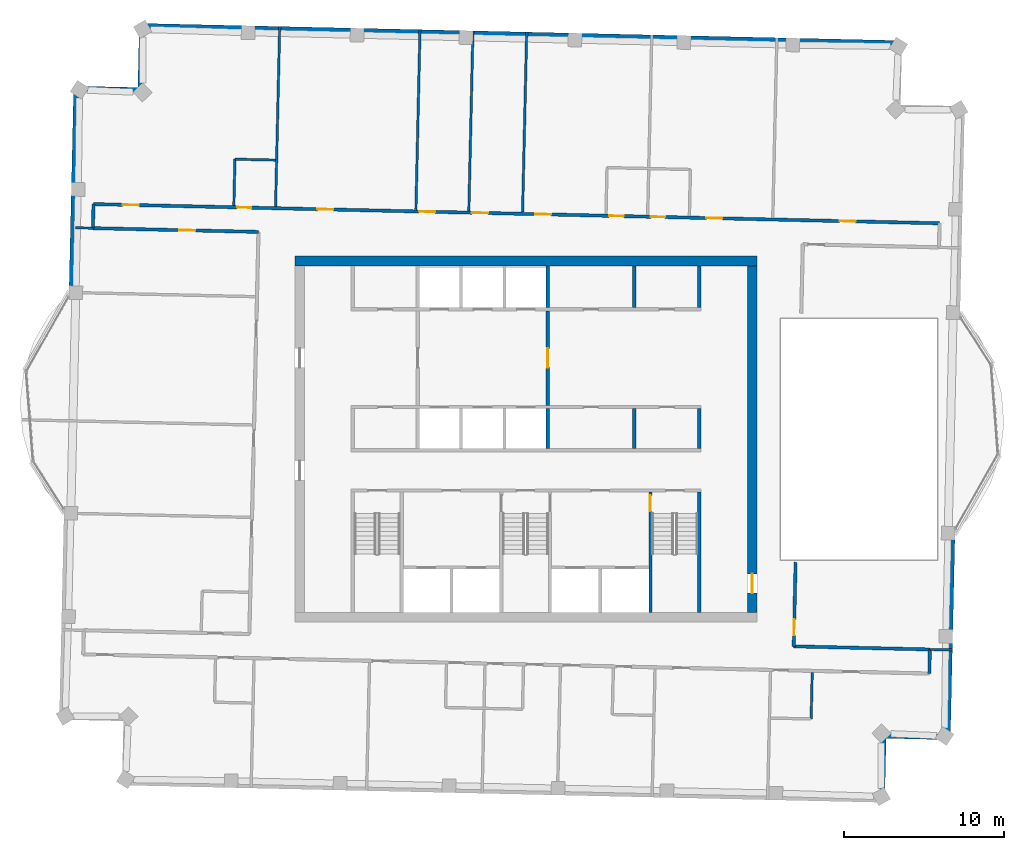
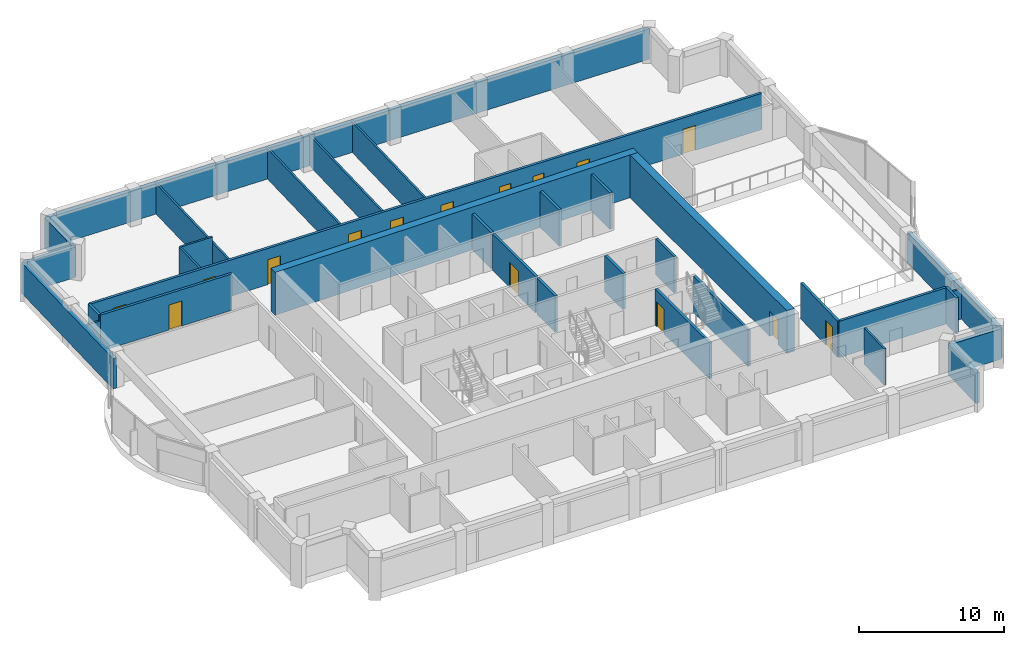
# One storey, part 8 of 11: 33 walls, 15 doors, 15 openings.
"""IFC4 building model written with IfcOpenShell, lengths in metres."""

from ifc_helpers import new_model, si_unit, direction, frame, frame_2d, origin, place, context, subcontext, project, spatial, rectangle, extrude, material, layer, layer_set, type_object, element, fill, save


model = new_model("IFC4")

# Units and contexts
model_context = context("Model", 3, precision=1e-05, world=origin(), true_north=direction((0.0, 1.0)))
body_context = subcontext(model_context, "Body", "Model", "MODEL_VIEW")
ifc_project = project(units=[si_unit("LENGTHUNIT", "METRE"), si_unit("AREAUNIT", "SQUARE_METRE"), si_unit("VOLUMEUNIT", "CUBIC_METRE"), si_unit("PLANEANGLEUNIT", "RADIAN"), si_unit("MASSUNIT", "GRAM", prefix="KILO")], contexts=[model_context])

# Site, building, storey
site_placement = place(None, origin())
site = spatial("IfcSite", under=ifc_project, at=site_placement, CompositionType="ELEMENT")
building_placement = place(site_placement, origin())
building = spatial("IfcBuilding", under=site, at=building_placement, Name="Mangrove Gate Tower", CompositionType="ELEMENT")
storey_placement = place(building_placement, frame((0.0, 0.0, 334.300048828125)))
storey = spatial("IfcBuildingStorey", under=building, at=storey_placement, Name="L85", CompositionType="ELEMENT", Elevation=334.300048828125)

# Wall, opening, door
ifc_material_1 = material(Name="Concrete C32/40", Category="concrete")
ifc_layer_1 = layer(ifc_material_1, 0.199951171875)
ifc_layer_set_1 = layer_set([ifc_layer_1], Name="Core lobby wall 200 C32/40")
wall_type_1 = type_object("IfcWallType", Name="Core lobby wall 200 C32/40", PredefinedType="STANDARD", material=ifc_layer_set_1)
wall_1_placement = place(storey_placement, frame((1.35009765625, 2.10009765625, 0.0), z_axis=(0.0, 0.0, 1.0), x_axis=(0.0, 1.0, 0.0)))
wall_1 = element("IfcWall", 1, at=wall_1_placement, inside=storey, type_object=wall_type_1, Name="WALL-L85-CORE-34", PredefinedType="STANDARD", context=body_context, shape_type="SweptSolid", body=[
    extrude(rectangle(XDim=5.89990234375, YDim=0.199951171875, at=frame_2d((2.949951171875, 0.0))), origin(), (0.0, 0.0, 1.0), 3.050048828125),
])
opening_1_placement = place(wall_1_placement, frame((2.35009765625, 0.0, 0.0)))
opening_1 = element("IfcOpeningElement", 2, at=opening_1_placement, cuts=wall_1, Name="Opening FL12", PredefinedType="OPENING", context=body_context, shape_type="SweptSolid", body=[
    extrude(rectangle(XDim=1.199951171875, YDim=2.10009765625, at=frame_2d((0.60009765625, 1.050048828125))), frame((0.0, 0.10986328125, 0.0), z_axis=(0.0, -1.0, 0.0), x_axis=(1.0, 0.0, 0.0)), (0.0, 0.0, 1.0), 0.219970703125),
])
ifc_material_2 = material(Name="Fire-rated steel door set", Category="steel")
door_type_1 = type_object("IfcDoorType", Name="Lobby door FD60 1200x2100", OperationType="SINGLE_SWING_LEFT", PredefinedType="DOOR", material=ifc_material_2)
door_1_placement = place(opening_1_placement, origin())
door_1 = element("IfcDoor", 3, at=door_1_placement, inside=storey, type_object=door_type_1, Name="Lobby door lift lobby partition", OperationType="SINGLE_SWING_LEFT", OverallHeight=2.10009765625, OverallWidth=1.199951171875, PredefinedType="DOOR", context=body_context, shape_type="SweptSolid", body=[
    extrude(rectangle(XDim=1.199951171875, YDim=2.10009765625, at=frame_2d((0.60009765625, 1.050048828125))), frame((0.0, 0.02490234375, 0.0), z_axis=(0.0, -1.0, 0.0), x_axis=(1.0, 0.0, 0.0)), (0.0, 0.0, 1.0), 0.050048828125),
])
fill(opening_1, door_1)

# Walls
ifc_material_3 = material(Name="Concrete C32/40", Category="concrete")
ifc_layer_2 = layer(ifc_material_3, 0.199951171875)
ifc_layer_set_2 = layer_set([ifc_layer_2], Name="Core room wall 200 C32/40")
wall_type_2 = type_object("IfcWallType", Name="Core room wall 200 C32/40", PredefinedType="STANDARD", material=ifc_layer_set_2)
for number, where, z_axis, x_axis, name in (
    (4, (6.75, -0.60009765625, 0.0), (0.0, 0.0, 1.0), (0.0, 1.0, 0.0), "WALL-L85-CORE-24"),
    (5, (10.800048828125, -0.60009765625, 0.0), (0.0, 0.0, 1.0), (0.0, 1.0, 0.0), "WALL-L85-CORE-25"),
):
    element("IfcWall", number, at=place(storey_placement, frame(where, z_axis=z_axis, x_axis=x_axis)), inside=storey, type_object=wall_type_2, Name=name, PredefinedType="STANDARD", context=body_context, shape_type="SweptSolid", body=[
        extrude(rectangle(XDim=2.5, YDim=0.199951171875, at=frame_2d((1.25, 0.0))), origin(), (0.0, 0.0, 1.0), 3.050048828125),
    ])
for number, where, z_axis, x_axis, name in (
    (6, (6.75, 8.199951171875, 0.0), (0.0, 0.0, 1.0), (0.0, 1.0, 0.0), "WALL-L85-CORE-31"),
    (7, (10.800048828125, 8.199951171875, 0.0), (0.0, 0.0, 1.0), (0.0, 1.0, 0.0), "WALL-L85-CORE-32"),
):
    element("IfcWall", number, at=place(storey_placement, frame(where, z_axis=z_axis, x_axis=x_axis)), inside=storey, type_object=wall_type_2, Name=name, PredefinedType="STANDARD", context=body_context, shape_type="SweptSolid", body=[
        extrude(rectangle(XDim=2.60009765625, YDim=0.199951171875, at=frame_2d((1.300048828125, 0.0))), origin(), (0.0, 0.0, 1.0), 3.050048828125),
    ])
ifc_material_4 = material(Name="Concrete C50/60", Category="concrete")
ifc_layer_3 = layer(ifc_material_4, 0.199951171875)
ifc_layer_set_3 = layer_set([ifc_layer_3], Name="Core shaft wall 200 C50/60")
wall_type_3 = type_object("IfcWallType", Name="Core shaft wall 200 C50/60", PredefinedType="SHEAR", material=ifc_layer_set_3)
wall_2_placement = place(storey_placement, frame((1.35009765625, -0.60009765625, 0.0), z_axis=(0.0, 0.0, 1.0), x_axis=(0.0, 1.0, 0.0)))
element("IfcWall", 8, at=wall_2_placement, inside=storey, type_object=wall_type_3, Name="WALL-L85-CORE-23", PredefinedType="SHEAR", context=body_context, shape_type="SweptSolid", body=[
    extrude(rectangle(XDim=2.5, YDim=0.199951171875, at=frame_2d((1.25, 0.0))), origin(), (0.0, 0.0, 1.0), 3.050048828125),
])
wall_3_placement = place(storey_placement, frame((1.35009765625, 8.199951171875, 0.0), z_axis=(0.0, 0.0, 1.0), x_axis=(0.0, 1.0, 0.0)))
element("IfcWall", 9, at=wall_3_placement, inside=storey, type_object=wall_type_3, Name="WALL-L85-CORE-30", PredefinedType="SHEAR", context=body_context, shape_type="SweptSolid", body=[
    extrude(rectangle(XDim=2.60009765625, YDim=0.199951171875, at=frame_2d((1.300048828125, 0.0))), origin(), (0.0, 0.0, 1.0), 3.050048828125),
])

# Wall, opening, door
ifc_material_5 = material(Name="Concrete C50/60", Category="concrete")
ifc_layer_4 = layer(ifc_material_5, 0.199951171875)
ifc_layer_set_4 = layer_set([ifc_layer_4], Name="Core stair wall 200 C50/60")
wall_type_4 = type_object("IfcWallType", Name="Core stair wall 200 C50/60", PredefinedType="SHEAR", material=ifc_layer_set_4)
wall_4_placement = place(storey_placement, frame((7.75, -10.800048828125, 0.0), z_axis=(0.0, 0.0, 1.0), x_axis=(0.0, 1.0, 0.0)))
wall_4 = element("IfcWall", 10, at=wall_4_placement, inside=storey, type_object=wall_type_4, Name="WALL-L85-CORE-13", PredefinedType="SHEAR", context=body_context, shape_type="SweptSolid", body=[
    extrude(rectangle(XDim=7.5, YDim=0.199951171875, at=frame_2d((3.75, 0.0))), origin(), (0.0, 0.0, 1.0), 3.050048828125),
])
opening_2_placement = place(wall_4_placement, frame((6.300048828125, 0.0, 0.0)))
opening_2 = element("IfcOpeningElement", 11, at=opening_2_placement, cuts=wall_4, Name="Opening STD10", PredefinedType="OPENING", context=body_context, shape_type="SweptSolid", body=[
    extrude(rectangle(XDim=1.0, YDim=2.10009765625, at=frame_2d((0.5, 1.050048828125))), frame((0.0, 0.10986328125, 0.0), z_axis=(0.0, -1.0, 0.0), x_axis=(1.0, 0.0, 0.0)), (0.0, 0.0, 1.0), 0.219970703125),
])
ifc_material_6 = material(Name="Fire-rated steel door set", Category="steel")
door_type_2 = type_object("IfcDoorType", Name="Stair door FD60 1000x2100", OperationType="SINGLE_SWING_RIGHT", PredefinedType="DOOR", material=ifc_material_6)
door_2_placement = place(opening_2_placement, origin())
door_2 = element("IfcDoor", 12, at=door_2_placement, inside=storey, type_object=door_type_2, Name="Stair door Stair 3 from fire-fighting lobby", OperationType="SINGLE_SWING_RIGHT", OverallHeight=2.10009765625, OverallWidth=1.0, PredefinedType="DOOR", context=body_context, shape_type="SweptSolid", body=[
    extrude(rectangle(XDim=1.0, YDim=2.10009765625, at=frame_2d((0.5, 1.050048828125))), frame((0.0, 0.02490234375, 0.0), z_axis=(0.0, -1.0, 0.0), x_axis=(1.0, 0.0, 0.0)), (0.0, 0.0, 1.0), 0.050048828125),
])
fill(opening_2, door_2)

# Walls
wall_5_placement = place(storey_placement, frame((10.800048828125, -10.800048828125, 0.0), z_axis=(0.0, 0.0, 1.0), x_axis=(0.0, 1.0, 0.0)))
element("IfcWall", 13, at=wall_5_placement, inside=storey, type_object=wall_type_4, Name="WALL-L85-CORE-14", PredefinedType="SHEAR", context=body_context, shape_type="SweptSolid", body=[
    extrude(rectangle(XDim=7.5, YDim=0.199951171875, at=frame_2d((3.75, 0.0))), origin(), (0.0, 0.0, 1.0), 3.050048828125),
])
ifc_material_7 = material(Name="Concrete C50/60", Category="concrete")
ifc_layer_5 = layer(ifc_material_7, 0.60009765625)
ifc_layer_set_5 = layer_set([ifc_layer_5], Name="Core wall 600 C50/60")
wall_type_5 = type_object("IfcWallType", Name="Core wall 600 C50/60", PredefinedType="SHEAR", material=ifc_layer_set_5)
wall_6_placement = place(storey_placement, frame((-14.39990234375, 11.10009765625, 0.0), z_axis=(0.0, 0.0, 1.0), x_axis=(1.0, 0.0, 0.0)))
element("IfcWall", 14, at=wall_6_placement, inside=storey, type_object=wall_type_5, Name="WALL-L85-CORE-2", PredefinedType="SHEAR", context=body_context, shape_type="SweptSolid", body=[
    extrude(rectangle(XDim=28.7998046875, YDim=0.60009765625, at=frame_2d((14.39990234375, 0.0))), origin(), (0.0, 0.0, 1.0), 3.599853515625),
])

# Wall, opening, door
wall_7_placement = place(storey_placement, frame((14.10009765625, -10.800048828125, 0.0), z_axis=(0.0, 0.0, 1.0), x_axis=(0.0, 1.0, 0.0)))
wall_7 = element("IfcWall", 15, at=wall_7_placement, inside=storey, type_object=wall_type_5, Name="WALL-L85-CORE-4", PredefinedType="SHEAR", context=body_context, shape_type="SweptSolid", body=[
    extrude(rectangle(XDim=21.60009765625, YDim=0.60009765625, at=frame_2d((10.800048828125, 0.0))), origin(), (0.0, 0.0, 1.0), 3.599853515625),
])
opening_3_placement = place(wall_7_placement, frame((1.199951171875, 0.0, 0.0)))
opening_3 = element("IfcOpeningElement", 16, at=opening_3_placement, cuts=wall_7, Name="Opening CD", PredefinedType="OPENING", context=body_context, shape_type="SweptSolid", body=[
    extrude(rectangle(XDim=1.199951171875, YDim=2.10009765625, at=frame_2d((0.60009765625, 1.050048828125))), frame((0.0, 0.31005859375, 0.0), z_axis=(0.0, -1.0, 0.0), x_axis=(1.0, 0.0, 0.0)), (0.0, 0.0, 1.0), 0.6201171875),
])
ifc_material_8 = material(Name="Fire-rated steel door set", Category="steel")
door_type_3 = type_object("IfcDoorType", Name="Core ring door FD60 1200x2100", OperationType="DOUBLE_DOOR_SINGLE_SWING", PredefinedType="DOOR", material=ifc_material_8)
door_3_placement = place(opening_3_placement, origin())
door_3 = element("IfcDoor", 17, at=door_3_placement, inside=storey, type_object=door_type_3, Name="Core ring door E1", OperationType="DOUBLE_DOOR_SINGLE_SWING", OverallHeight=2.10009765625, OverallWidth=1.199951171875, PredefinedType="DOOR", context=body_context, shape_type="SweptSolid", body=[
    extrude(rectangle(XDim=1.199951171875, YDim=2.10009765625, at=frame_2d((0.60009765625, 1.050048828125))), frame((0.0, 0.02490234375, 0.0), z_axis=(0.0, -1.0, 0.0), x_axis=(1.0, 0.0, 0.0)), (0.0, 0.0, 1.0), 0.050048828125),
])
fill(opening_3, door_3)

# Walls
ifc_material_9 = material(Name="Gypsum board on steel stud, EI 60", Category="steel")
ifc_layer_6 = layer(ifc_material_9, 0.199951171875)
ifc_layer_set_6 = layer_set([ifc_layer_6], Name="Corridor wall EI 60")
wall_type_6 = type_object("IfcWallType", Name="Corridor wall EI 60", PredefinedType="PARTITIONING", material=ifc_layer_set_6)
wall_8_placement = place(storey_placement, frame((25.137939453125, -14.611083984375, 0.0), z_axis=(0.0, 0.0, 1.0), x_axis=(0.022780545013, 0.999740489712, 0.0)))
element("IfcWall", 18, at=wall_8_placement, inside=storey, type_object=wall_type_6, Name="WALL-L85-018", PredefinedType="PARTITIONING", context=body_context, shape_type="SweptSolid", body=[
    extrude(rectangle(XDim=1.50048828125, YDim=0.199951171875, at=frame_2d((0.750244140625, 0.0))), origin(), (0.0, 0.0, 1.0), 3.050048828125),
])
wall_9_placement = place(storey_placement, frame((16.678955078125, -12.91796875, 0.0), z_axis=(0.0, 0.0, 1.0), x_axis=(0.999741598108, -0.022731850181, 0.0)))
element("IfcWall", 19, at=wall_9_placement, inside=storey, type_object=wall_type_6, Name="WALL-L85-023", PredefinedType="PARTITIONING", context=body_context, shape_type="SweptSolid", body=[
    extrude(rectangle(XDim=8.495361328125, YDim=0.199951171875, at=frame_2d((4.24755859375, 0.0))), origin(), (0.0, 0.0, 1.0), 3.050048828125),
])

# Wall, opening, door
wall_10_placement = place(storey_placement, frame((16.68408203125, -12.9189453125, 0.0), z_axis=(0.0, 0.0, 1.0), x_axis=(0.022667483124, 0.999743059595, 0.0)))
wall_10 = element("IfcWall", 20, at=wall_10_placement, inside=storey, type_object=wall_type_6, Name="WALL-L85-024", PredefinedType="PARTITIONING", context=body_context, shape_type="SweptSolid", body=[
    extrude(rectangle(XDim=5.245361328125, YDim=0.199951171875, at=frame_2d((2.62255859375, 0.0))), origin(), (0.0, 0.0, 1.0), 3.050048828125),
])
opening_4_placement = place(wall_10_placement, frame((0.69091796875, 0.0, 0.0)))
opening_4 = element("IfcOpeningElement", 21, at=opening_4_placement, cuts=wall_10, Name="Opening AD", PredefinedType="OPENING", context=body_context, shape_type="SweptSolid", body=[
    extrude(rectangle(XDim=1.0, YDim=2.10009765625, at=frame_2d((0.5, 1.050048828125))), frame((0.0, 0.10986328125, 0.0), z_axis=(0.0, -1.0, 0.0), x_axis=(1.0, 0.0, 0.0)), (0.0, 0.0, 1.0), 0.219970703125),
])
ifc_material_10 = material(Name="Timber door leaf", Category="wood")
door_type_4 = type_object("IfcDoorType", Name="Amenity door 1000", OperationType="SINGLE_SWING_LEFT", PredefinedType="DOOR", material=ifc_material_10)
door_4_placement = place(opening_4_placement, origin())
door_4 = element("IfcDoor", 22, at=door_4_placement, inside=storey, type_object=door_type_4, Name="DOOR-L85-GAM-c2c", OperationType="SINGLE_SWING_RIGHT", OverallHeight=2.10009765625, OverallWidth=1.0, PredefinedType="DOOR", context=body_context, shape_type="SweptSolid", body=[
    extrude(rectangle(XDim=1.0, YDim=2.10009765625, at=frame_2d((0.5, 1.050048828125))), frame((0.0, 0.02490234375, 0.0), z_axis=(0.0, -1.0, 0.0), x_axis=(1.0, 0.0, 0.0)), (0.0, 0.0, 1.0), 0.050048828125),
])
fill(opening_4, door_4)

wall_11_placement = place(storey_placement, frame((-26.99609375, 13.14892578125, 0.0), z_axis=(0.0, 0.0, 1.0), x_axis=(0.999743140734, -0.022663904229, 0.0)))
wall_11 = element("IfcWall", 23, at=wall_11_placement, inside=storey, type_object=wall_type_6, Name="WALL-L85-032", PredefinedType="PARTITIONING", context=body_context, shape_type="SweptSolid", body=[
    extrude(rectangle(XDim=10.31982421875, YDim=0.199951171875, at=frame_2d((5.159912109375, 0.0))), origin(), (0.0, 0.0, 1.0), 3.050048828125),
])
opening_5_placement = place(wall_11_placement, frame((5.39208984375, 0.0, 0.0)))
opening_5 = element("IfcOpeningElement", 24, at=opening_5_placement, cuts=wall_11, Name="Opening AD", PredefinedType="OPENING", context=body_context, shape_type="SweptSolid", body=[
    extrude(rectangle(XDim=1.0, YDim=2.10009765625, at=frame_2d((0.5, 1.050048828125))), frame((0.0, 0.10986328125, 0.0), z_axis=(0.0, -1.0, 0.0), x_axis=(1.0, 0.0, 0.0)), (0.0, 0.0, 1.0), 0.219970703125),
])
door_5_placement = place(opening_5_placement, origin())
door_5 = element("IfcDoor", 25, at=door_5_placement, inside=storey, type_object=door_type_4, Name="DOOR-L85-KIT-c5a", OperationType="SINGLE_SWING_LEFT", OverallHeight=2.10009765625, OverallWidth=1.0, PredefinedType="DOOR", context=body_context, shape_type="SweptSolid", body=[
    extrude(rectangle(XDim=1.0, YDim=2.10009765625, at=frame_2d((0.5, 1.050048828125))), frame((0.0, 0.02490234375, 0.0), z_axis=(0.0, -1.0, 0.0), x_axis=(1.0, 0.0, 0.0)), (0.0, 0.0, 1.0), 0.050048828125),
])
fill(opening_5, door_5)

# Wall
wall_12_placement = place(storey_placement, frame((-26.99609375, 13.153076171875, 0.0), z_axis=(0.0, 0.0, 1.0), x_axis=(0.022780545013, 0.999740489712, 0.0)))
element("IfcWall", 26, at=wall_12_placement, inside=storey, type_object=wall_type_6, Name="WALL-L85-035", PredefinedType="PARTITIONING", context=body_context, shape_type="SweptSolid", body=[
    extrude(rectangle(XDim=1.50048828125, YDim=0.199951171875, at=frame_2d((0.750244140625, 0.0))), origin(), (0.0, 0.0, 1.0), 3.050048828125),
])

# Wall, openings, doors
wall_13_placement = place(storey_placement, frame((-26.9619140625, 14.64892578125, 0.0), z_axis=(0.0, 0.0, 1.0), x_axis=(0.999742499365, -0.022692178484, 0.0)))
wall_13 = element("IfcWall", 27, at=wall_13_placement, inside=storey, type_object=wall_type_6, Name="WALL-L85-037", PredefinedType="PARTITIONING", context=body_context, shape_type="SweptSolid", body=[
    extrude(rectangle(XDim=52.75048828125, YDim=0.199951171875, at=frame_2d((26.375244140625, 0.0))), origin(), (0.0, 0.0, 1.0), 3.050048828125),
])
opening_6_placement = place(wall_13_placement, frame((46.52587890625, 0.0, 0.0)))
opening_6 = element("IfcOpeningElement", 28, at=opening_6_placement, cuts=wall_13, Name="Opening AD", PredefinedType="OPENING", context=body_context, shape_type="SweptSolid", body=[
    extrude(rectangle(XDim=1.0, YDim=2.10009765625, at=frame_2d((0.5, 1.050048828125))), frame((0.0, 0.10986328125, 0.0), z_axis=(0.0, -1.0, 0.0), x_axis=(1.0, 0.0, 0.0)), (0.0, 0.0, 1.0), 0.219970703125),
])
opening_7_placement = place(wall_13_placement, frame((38.2080078125, 0.0, 0.0)))
opening_7 = element("IfcOpeningElement", 29, at=opening_7_placement, cuts=wall_13, Name="Opening AD", PredefinedType="OPENING", context=body_context, shape_type="SweptSolid", body=[
    extrude(rectangle(XDim=1.0, YDim=2.10009765625, at=frame_2d((0.5, 1.050048828125))), frame((0.0, 0.10986328125, 0.0), z_axis=(0.0, -1.0, 0.0), x_axis=(1.0, 0.0, 0.0)), (0.0, 0.0, 1.0), 0.219970703125),
])
opening_8_placement = place(wall_13_placement, frame((34.75, 0.0, 0.0)))
opening_8 = element("IfcOpeningElement", 30, at=opening_8_placement, cuts=wall_13, Name="Opening SD", PredefinedType="OPENING", context=body_context, shape_type="SweptSolid", body=[
    extrude(rectangle(XDim=0.89990234375, YDim=2.10009765625, at=frame_2d((0.449951171875, 1.050048828125))), frame((0.0, 0.10986328125, 0.0), z_axis=(0.0, -1.0, 0.0), x_axis=(1.0, 0.0, 0.0)), (0.0, 0.0, 1.0), 0.219970703125),
])
opening_9_placement = place(wall_13_placement, frame((27.535888671875, 0.0, 0.0)))
opening_9 = element("IfcOpeningElement", 31, at=opening_9_placement, cuts=wall_13, Name="Opening AD", PredefinedType="OPENING", context=body_context, shape_type="SweptSolid", body=[
    extrude(rectangle(XDim=1.0, YDim=2.10009765625, at=frame_2d((0.5, 1.050048828125))), frame((0.0, 0.10986328125, 0.0), z_axis=(0.0, -1.0, 0.0), x_axis=(1.0, 0.0, 0.0)), (0.0, 0.0, 1.0), 0.219970703125),
])
opening_10_placement = place(wall_13_placement, frame((32.14990234375, 0.0, 0.0)))
opening_10 = element("IfcOpeningElement", 32, at=opening_10_placement, cuts=wall_13, Name="Opening SD", PredefinedType="OPENING", context=body_context, shape_type="SweptSolid", body=[
    extrude(rectangle(XDim=0.89990234375, YDim=2.10009765625, at=frame_2d((0.449951171875, 1.050048828125))), frame((0.0, 0.10986328125, 0.0), z_axis=(0.0, -1.0, 0.0), x_axis=(1.0, 0.0, 0.0)), (0.0, 0.0, 1.0), 0.219970703125),
])
opening_11_placement = place(wall_13_placement, frame((23.60009765625, 0.0, 0.0)))
opening_11 = element("IfcOpeningElement", 33, at=opening_11_placement, cuts=wall_13, Name="Opening AD", PredefinedType="OPENING", context=body_context, shape_type="SweptSolid", body=[
    extrude(rectangle(XDim=1.0, YDim=2.10009765625, at=frame_2d((0.5, 1.050048828125))), frame((0.0, 0.10986328125, 0.0), z_axis=(0.0, -1.0, 0.0), x_axis=(1.0, 0.0, 0.0)), (0.0, 0.0, 1.0), 0.219970703125),
])
opening_12_placement = place(wall_13_placement, frame((20.300048828125, 0.0, 0.0)))
opening_12 = element("IfcOpeningElement", 34, at=opening_12_placement, cuts=wall_13, Name="Opening AD", PredefinedType="OPENING", context=body_context, shape_type="SweptSolid", body=[
    extrude(rectangle(XDim=1.0, YDim=2.10009765625, at=frame_2d((0.5, 1.050048828125))), frame((0.0, 0.10986328125, 0.0), z_axis=(0.0, -1.0, 0.0), x_axis=(1.0, 0.0, 0.0)), (0.0, 0.0, 1.0), 0.219970703125),
])
opening_13_placement = place(wall_13_placement, frame((13.955078125, 0.0, 0.0)))
opening_13 = element("IfcOpeningElement", 35, at=opening_13_placement, cuts=wall_13, Name="Opening AD", PredefinedType="OPENING", context=body_context, shape_type="SweptSolid", body=[
    extrude(rectangle(XDim=1.0, YDim=2.10009765625, at=frame_2d((0.5, 1.050048828125))), frame((0.0, 0.10986328125, 0.0), z_axis=(0.0, -1.0, 0.0), x_axis=(1.0, 0.0, 0.0)), (0.0, 0.0, 1.0), 0.219970703125),
])
opening_14_placement = place(wall_13_placement, frame((1.81298828125, 0.0, 0.0)))
opening_14 = element("IfcOpeningElement", 36, at=opening_14_placement, cuts=wall_13, Name="Opening AD", PredefinedType="OPENING", context=body_context, shape_type="SweptSolid", body=[
    extrude(rectangle(XDim=1.0, YDim=2.10009765625, at=frame_2d((0.5, 1.050048828125))), frame((0.0, 0.10986328125, 0.0), z_axis=(0.0, -1.0, 0.0), x_axis=(1.0, 0.0, 0.0)), (0.0, 0.0, 1.0), 0.219970703125),
])
opening_15_placement = place(wall_13_placement, frame((8.949951171875, 0.0, 0.0)))
opening_15 = element("IfcOpeningElement", 37, at=opening_15_placement, cuts=wall_13, Name="Opening SD", PredefinedType="OPENING", context=body_context, shape_type="SweptSolid", body=[
    extrude(rectangle(XDim=0.89990234375, YDim=2.10009765625, at=frame_2d((0.449951171875, 1.050048828125))), frame((0.0, 0.10986328125, 0.0), z_axis=(0.0, -1.0, 0.0), x_axis=(1.0, 0.0, 0.0)), (0.0, 0.0, 1.0), 0.219970703125),
])
door_6_placement = place(opening_6_placement, origin())
door_6 = element("IfcDoor", 38, at=door_6_placement, inside=storey, type_object=door_type_4, Name="DOOR-L85-GAM-c3a", OperationType="SINGLE_SWING_RIGHT", OverallHeight=2.10009765625, OverallWidth=1.0, PredefinedType="DOOR", context=body_context, shape_type="SweptSolid", body=[
    extrude(rectangle(XDim=1.0, YDim=2.10009765625, at=frame_2d((0.5, 1.050048828125))), frame((0.0, 0.02490234375, 0.0), z_axis=(0.0, -1.0, 0.0), x_axis=(1.0, 0.0, 0.0)), (0.0, 0.0, 1.0), 0.050048828125),
])
fill(opening_6, door_6)
door_7_placement = place(opening_7_placement, origin())
door_7 = element("IfcDoor", 39, at=door_7_placement, inside=storey, type_object=door_type_4, Name="DOOR-L85-GAM-c3b", OperationType="SINGLE_SWING_LEFT", OverallHeight=2.10009765625, OverallWidth=1.0, PredefinedType="DOOR", context=body_context, shape_type="SweptSolid", body=[
    extrude(rectangle(XDim=1.0, YDim=2.10009765625, at=frame_2d((0.5, 1.050048828125))), frame((0.0, 0.02490234375, 0.0), z_axis=(0.0, -1.0, 0.0), x_axis=(1.0, 0.0, 0.0)), (0.0, 0.0, 1.0), 0.050048828125),
])
fill(opening_7, door_7)
door_8_placement = place(opening_9_placement, origin())
door_8 = element("IfcDoor", 40, at=door_8_placement, inside=storey, type_object=door_type_4, Name="DOOR-L85-GAM-c3c", OperationType="SINGLE_SWING_RIGHT", OverallHeight=2.10009765625, OverallWidth=1.0, PredefinedType="DOOR", context=body_context, shape_type="SweptSolid", body=[
    extrude(rectangle(XDim=1.0, YDim=2.10009765625, at=frame_2d((0.5, 1.050048828125))), frame((0.0, 0.02490234375, 0.0), z_axis=(0.0, -1.0, 0.0), x_axis=(1.0, 0.0, 0.0)), (0.0, 0.0, 1.0), 0.050048828125),
])
fill(opening_9, door_8)
door_9_placement = place(opening_11_placement, origin())
door_9 = element("IfcDoor", 41, at=door_9_placement, inside=storey, type_object=door_type_4, Name="DOOR-L85-STU-c4a", OperationType="SINGLE_SWING_LEFT", OverallHeight=2.10009765625, OverallWidth=1.0, PredefinedType="DOOR", context=body_context, shape_type="SweptSolid", body=[
    extrude(rectangle(XDim=1.0, YDim=2.10009765625, at=frame_2d((0.5, 1.050048828125))), frame((0.0, 0.02490234375, 0.0), z_axis=(0.0, -1.0, 0.0), x_axis=(1.0, 0.0, 0.0)), (0.0, 0.0, 1.0), 0.050048828125),
])
fill(opening_11, door_9)
door_10_placement = place(opening_12_placement, origin())
door_10 = element("IfcDoor", 42, at=door_10_placement, inside=storey, type_object=door_type_4, Name="DOOR-L85-STU-c4b", OperationType="SINGLE_SWING_RIGHT", OverallHeight=2.10009765625, OverallWidth=1.0, PredefinedType="DOOR", context=body_context, shape_type="SweptSolid", body=[
    extrude(rectangle(XDim=1.0, YDim=2.10009765625, at=frame_2d((0.5, 1.050048828125))), frame((0.0, 0.02490234375, 0.0), z_axis=(0.0, -1.0, 0.0), x_axis=(1.0, 0.0, 0.0)), (0.0, 0.0, 1.0), 0.050048828125),
])
fill(opening_12, door_10)
door_11_placement = place(opening_13_placement, origin())
door_11 = element("IfcDoor", 43, at=door_11_placement, inside=storey, type_object=door_type_4, Name="DOOR-L85-LNG-c4a", OperationType="SINGLE_SWING_LEFT", OverallHeight=2.10009765625, OverallWidth=1.0, PredefinedType="DOOR", context=body_context, shape_type="SweptSolid", body=[
    extrude(rectangle(XDim=1.0, YDim=2.10009765625, at=frame_2d((0.5, 1.050048828125))), frame((0.0, 0.02490234375, 0.0), z_axis=(0.0, -1.0, 0.0), x_axis=(1.0, 0.0, 0.0)), (0.0, 0.0, 1.0), 0.050048828125),
])
fill(opening_13, door_11)
door_12_placement = place(opening_14_placement, origin())
door_12 = element("IfcDoor", 44, at=door_12_placement, inside=storey, type_object=door_type_4, Name="DOOR-L85-LNG-c4b", OperationType="SINGLE_SWING_RIGHT", OverallHeight=2.10009765625, OverallWidth=1.0, PredefinedType="DOOR", context=body_context, shape_type="SweptSolid", body=[
    extrude(rectangle(XDim=1.0, YDim=2.10009765625, at=frame_2d((0.5, 1.050048828125))), frame((0.0, 0.02490234375, 0.0), z_axis=(0.0, -1.0, 0.0), x_axis=(1.0, 0.0, 0.0)), (0.0, 0.0, 1.0), 0.050048828125),
])
fill(opening_14, door_12)
ifc_material_11 = material(Name="Timber door leaf", Category="wood")
door_type_5 = type_object("IfcDoorType", Name="Service room door 900", OperationType="SINGLE_SWING_LEFT", PredefinedType="DOOR", material=ifc_material_11)
door_13_placement = place(opening_8_placement, origin())
door_13 = element("IfcDoor", 45, at=door_13_placement, inside=storey, type_object=door_type_5, Name="DOOR-L85-AWC-c3a", OperationType="SINGLE_SWING_RIGHT", OverallHeight=2.10009765625, OverallWidth=0.89990234375, PredefinedType="DOOR", context=body_context, shape_type="SweptSolid", body=[
    extrude(rectangle(XDim=0.89990234375, YDim=2.10009765625, at=frame_2d((0.449951171875, 1.050048828125))), frame((0.0, 0.02490234375, 0.0), z_axis=(0.0, -1.0, 0.0), x_axis=(1.0, 0.0, 0.0)), (0.0, 0.0, 1.0), 0.050048828125),
])
fill(opening_8, door_13)
door_14_placement = place(opening_10_placement, origin())
door_14 = element("IfcDoor", 46, at=door_14_placement, inside=storey, type_object=door_type_5, Name="DOOR-L85-AWC-c3b", OperationType="SINGLE_SWING_LEFT", OverallHeight=2.10009765625, OverallWidth=0.89990234375, PredefinedType="DOOR", context=body_context, shape_type="SweptSolid", body=[
    extrude(rectangle(XDim=0.89990234375, YDim=2.10009765625, at=frame_2d((0.449951171875, 1.050048828125))), frame((0.0, 0.02490234375, 0.0), z_axis=(0.0, -1.0, 0.0), x_axis=(1.0, 0.0, 0.0)), (0.0, 0.0, 1.0), 0.050048828125),
])
fill(opening_10, door_14)
door_15_placement = place(opening_15_placement, origin())
door_15 = element("IfcDoor", 47, at=door_15_placement, inside=storey, type_object=door_type_5, Name="DOOR-L85-AWC-c4a", OperationType="SINGLE_SWING_RIGHT", OverallHeight=2.10009765625, OverallWidth=0.89990234375, PredefinedType="DOOR", context=body_context, shape_type="SweptSolid", body=[
    extrude(rectangle(XDim=0.89990234375, YDim=2.10009765625, at=frame_2d((0.449951171875, 1.050048828125))), frame((0.0, 0.02490234375, 0.0), z_axis=(0.0, -1.0, 0.0), x_axis=(1.0, 0.0, 0.0)), (0.0, 0.0, 1.0), 0.050048828125),
])
fill(opening_15, door_15)

# Walls
ifc_material_12 = material(Name="Limestone", Category="masonry")
ifc_layer_7 = layer(ifc_material_12, 0.0400390625, Name="Limestone cladding")
ifc_material_13 = material(Name="Ventilated air gap")
ifc_layer_8 = layer(ifc_material_13, 0.0400390625, Name="Ventilated cavity")
ifc_material_14 = material(Name="Mineral wool insulation")
ifc_layer_9 = layer(ifc_material_14, 0.06005859375, Name="Insulation")
ifc_material_15 = material(Name="Breather membrane")
ifc_layer_10 = layer(ifc_material_15, 0.001953125, Name="Breather membrane")
ifc_material_16 = material(Name="Concrete C20/25 blockwork", Category="masonry")
ifc_layer_11 = layer(ifc_material_16, 0.14990234375, Name="Blockwork backing wall")
ifc_material_17 = material(Name="Gypsum plaster")
ifc_layer_12 = layer(ifc_material_17, 0.008056640625, Name="Internal plaster")
ifc_layer_set_7 = layer_set([ifc_layer_7, ifc_layer_8, ifc_layer_9, ifc_layer_10, ifc_layer_11, ifc_layer_12], Name="External wall 300 limestone cladding")
wall_type_7 = type_object("IfcWallType", Name="External wall 300 limestone cladding", PredefinedType="SOLIDWALL", material=ifc_layer_set_7)
wall_14_placement = place(storey_placement, frame((26.298095703125, -18.587890625, 0.0), z_axis=(0.0, 0.0, 1.0), x_axis=(0.022651394302, 0.999743424253, 0.0)))
element("IfcWall", 48, at=wall_14_placement, inside=storey, type_object=wall_type_7, Name="WALL-L85-E0s1", PredefinedType="SOLIDWALL", context=body_context, shape_type="SweptSolid", body=[
    extrude(rectangle(XDim=13.1494140625, YDim=0.300048828125, at=frame_2d((6.57470703125, 0.0))), origin(), (0.0, 0.0, 1.0), 2.550048828125),
])
wall_15_placement = place(storey_placement, frame((23.279052734375, 24.69091796875, 0.0), z_axis=(0.0, 0.0, 1.0), x_axis=(-0.9997425899, 0.022688189451, 0.0)))
element("IfcWall", 49, at=wall_15_placement, inside=storey, type_object=wall_type_7, Name="WALL-L85-N5", PredefinedType="SOLIDWALL", context=body_context, shape_type="SweptSolid", body=[
    extrude(rectangle(XDim=47.250244140625, YDim=0.300048828125, at=frame_2d((23.625, 0.0))), origin(), (0.0, 0.0, 1.0), 2.550048828125),
])
for number, where, z_axis, x_axis, name in (
    (50, (-23.958984375, 25.762939453125, 0.0), (0.0, 0.0, 1.0), (-0.022521758502, -0.999746353029, 0.0), "WALL-L85-W6"),
    (51, (-24.049072265625, 21.763916015625, 0.0), (0.0, 0.0, 1.0), (-0.999740826251, 0.022765770952, 0.0), "WALL-L85-N7"),
):
    element("IfcWall", number, at=place(storey_placement, frame(where, z_axis=z_axis, x_axis=x_axis)), inside=storey, type_object=wall_type_7, Name=name, PredefinedType="SOLIDWALL", context=body_context, shape_type="SweptSolid", body=[
        extrude(rectangle(XDim=4.0, YDim=0.300048828125, at=frame_2d((2.0, 0.0))), origin(), (0.0, 0.0, 1.0), 2.550048828125),
    ])
wall_16_placement = place(storey_placement, frame((-28.048095703125, 21.85498046875, 0.0), z_axis=(0.0, 0.0, 1.0), x_axis=(-0.022725622876, -0.999741739683, 0.0)))
element("IfcWall", 52, at=wall_16_placement, inside=storey, type_object=wall_type_7, Name="WALL-L85-W8s1", PredefinedType="SOLIDWALL", context=body_context, shape_type="SweptSolid", body=[
    extrude(rectangle(XDim=13.1494140625, YDim=0.300048828125, at=frame_2d((6.57470703125, 0.0))), origin(), (0.0, 0.0, 1.0), 2.550048828125),
])
for number, where, z_axis, x_axis, name in (
    (53, (22.2080078125, -22.49609375, 0.0), (0.0, 0.0, 1.0), (0.022765770952, 0.999740826251, 0.0), "WALL-L85-E14"),
    (54, (22.299072265625, -18.4970703125, 0.0), (0.0, 0.0, 1.0), (0.999742213523, -0.022704768219, 0.0), "WALL-L85-S15"),
):
    element("IfcWall", number, at=place(storey_placement, frame(where, z_axis=z_axis, x_axis=x_axis)), inside=storey, type_object=wall_type_7, Name=name, PredefinedType="SOLIDWALL", context=body_context, shape_type="SweptSolid", body=[
        extrude(rectangle(XDim=4.0, YDim=0.300048828125, at=frame_2d((2.0, 0.0))), origin(), (0.0, 0.0, 1.0), 2.550048828125),
    ])
ifc_material_18 = material(Name="Gypsum board on steel stud, EI 60", Category="steel")
ifc_layer_13 = layer(ifc_material_18, 0.14990234375)
ifc_layer_set_8 = layer_set([ifc_layer_13], Name="Party wall 150 EI 60")
wall_type_8 = type_object("IfcWallType", Name="Party wall 150 EI 60", PredefinedType="PARTITIONING", material=ifc_layer_set_8)
wall_17_placement = place(storey_placement, frame((17.77197265625, -17.444091796875, 0.0), z_axis=(0.0, 0.0, 1.0), x_axis=(0.022730967319, 0.999741618182, 0.0)))
element("IfcWall", 55, at=wall_17_placement, inside=storey, type_object=wall_type_8, Name="WALL-L85-010", PredefinedType="PARTITIONING", context=body_context, shape_type="SweptSolid", body=[
    extrude(rectangle(XDim=2.89990234375, YDim=0.14990234375, at=frame_2d((1.449951171875, 0.0))), origin(), (0.0, 0.0, 1.0), 3.050048828125),
])
wall_18_placement = place(storey_placement, frame((25.16796875, -13.111083984375, 0.0), z_axis=(0.0, 0.0, 1.0), x_axis=(0.999740667531, -0.022772739949, 0.0)))
element("IfcWall", 56, at=wall_18_placement, inside=storey, type_object=wall_type_8, Name="WALL-L85-025", PredefinedType="PARTITIONING", context=body_context, shape_type="SweptSolid", body=[
    extrude(rectangle(XDim=1.404296875, YDim=0.14990234375, at=frame_2d((0.7021484375, 0.0))), origin(), (0.0, 0.0, 1.0), 2.550048828125),
])
wall_19_placement = place(storey_placement, frame((-28.094970703125, 13.174072265625, 0.0), z_axis=(0.0, 0.0, 1.0), x_axis=(0.999740233734, -0.022791776024, 0.0)))
element("IfcWall", 57, at=wall_19_placement, inside=storey, type_object=wall_type_8, Name="WALL-L85-031", PredefinedType="PARTITIONING", context=body_context, shape_type="SweptSolid", body=[
    extrude(rectangle(XDim=1.103271484375, YDim=0.14990234375, at=frame_2d((0.5517578125, 0.0))), origin(), (0.0, 0.0, 1.0), 2.550048828125),
])
wall_20_placement = place(storey_placement, frame((-18.2119140625, 14.553955078125, 0.0), z_axis=(0.0, 0.0, 1.0), x_axis=(0.022732880677, 0.999741574676, 0.0)))
element("IfcWall", 58, at=wall_20_placement, inside=storey, type_object=wall_type_8, Name="WALL-L85-038", PredefinedType="PARTITIONING", context=body_context, shape_type="SweptSolid", body=[
    extrude(rectangle(XDim=2.899658203125, YDim=0.14990234375, at=frame_2d((1.44970703125, 0.0))), origin(), (0.0, 0.0, 1.0), 3.050048828125),
])
for number, where, z_axis, x_axis, name in (
    (59, (-15.612060546875, 14.4951171875, 0.0), (0.0, 0.0, 1.0), (0.022726839589, 0.999741712025, 0.0), "WALL-L85-039"),
    (60, (-6.864013671875, 14.297119140625, 0.0), (0.0, 0.0, 1.0), (0.022618154493, 0.999744176821, 0.0), "WALL-L85-040"),
):
    element("IfcWall", number, at=place(storey_placement, frame(where, z_axis=z_axis, x_axis=x_axis)), inside=storey, type_object=wall_type_8, Name=name, PredefinedType="PARTITIONING", context=body_context, shape_type="SweptSolid", body=[
        extrude(rectangle(XDim=11.225830078125, YDim=0.14990234375, at=frame_2d((5.61279296875, 0.0))), origin(), (0.0, 0.0, 1.0), 2.550048828125),
    ])
wall_21_placement = place(storey_placement, frame((-3.56494140625, 14.221923828125, 0.0), z_axis=(0.0, 0.0, 1.0), x_axis=(0.022617662725, 0.999744187947, 0.0)))
element("IfcWall", 61, at=wall_21_placement, inside=storey, type_object=wall_type_8, Name="WALL-L85-041", PredefinedType="PARTITIONING", context=body_context, shape_type="SweptSolid", body=[
    extrude(rectangle(XDim=11.22607421875, YDim=0.14990234375, at=frame_2d((5.613037109375, 0.0))), origin(), (0.0, 0.0, 1.0), 2.550048828125),
])
wall_22_placement = place(storey_placement, frame((-0.216064453125, 14.14599609375, 0.0), z_axis=(0.0, 0.0, 1.0), x_axis=(0.022726839589, 0.999741712025, 0.0)))
element("IfcWall", 62, at=wall_22_placement, inside=storey, type_object=wall_type_8, Name="WALL-L85-042", PredefinedType="PARTITIONING", context=body_context, shape_type="SweptSolid", body=[
    extrude(rectangle(XDim=11.225830078125, YDim=0.14990234375, at=frame_2d((5.61279296875, 0.0))), origin(), (0.0, 0.0, 1.0), 2.550048828125),
])
wall_23_placement = place(storey_placement, frame((-18.14599609375, 17.448974609375, 0.0), z_axis=(0.0, 0.0, 1.0), x_axis=(0.999746307581, -0.022523775833, 0.0)))
element("IfcWall", 63, at=wall_23_placement, inside=storey, type_object=wall_type_8, Name="WALL-L85-047", PredefinedType="PARTITIONING", context=body_context, shape_type="SweptSolid", body=[
    extrude(rectangle(XDim=2.525634765625, YDim=0.14990234375, at=frame_2d((1.2626953125, 0.0))), origin(), (0.0, 0.0, 1.0), 3.050048828125),
])

save(model, "model.ifc")
